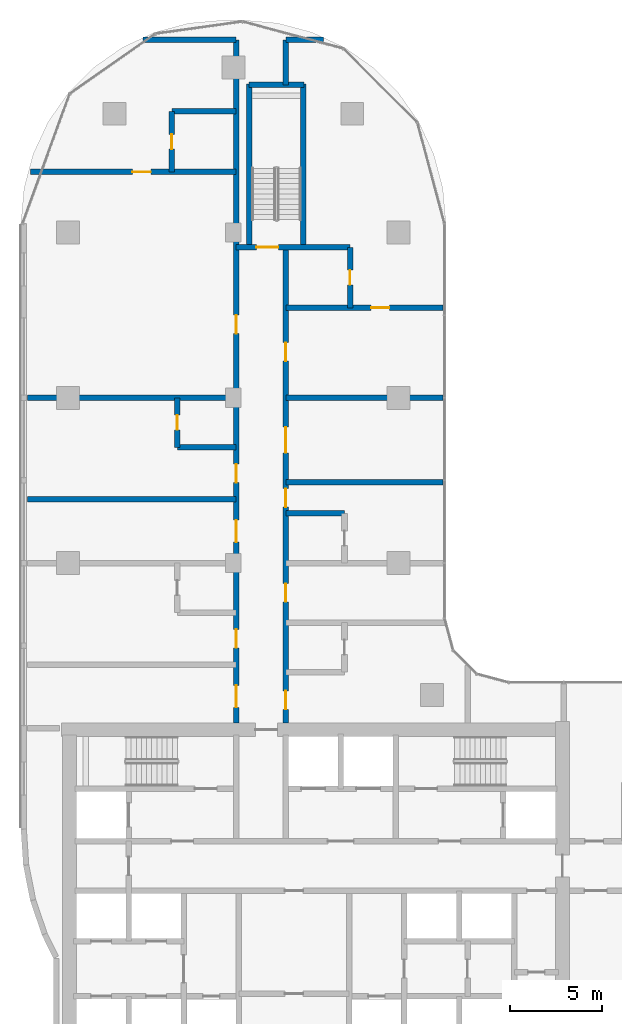
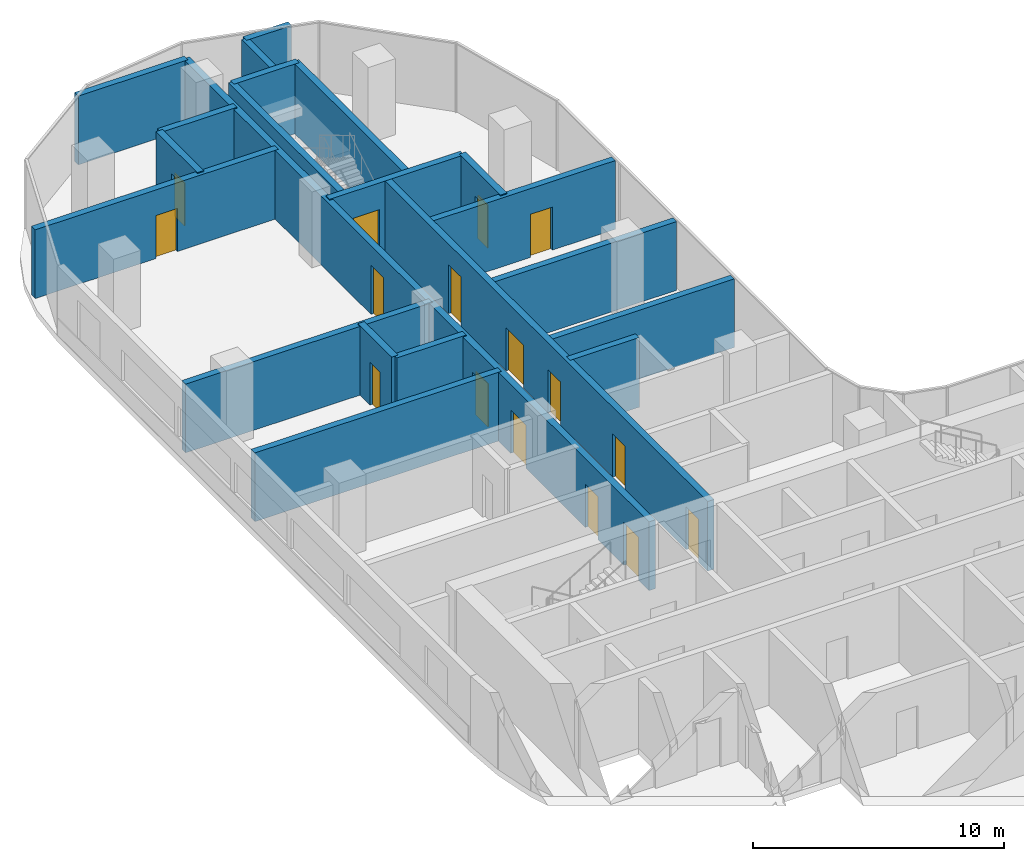
# One storey, part 14 of 23: 21 walls, 16 doors, 16 openings.
"""IFC4 building model written with IfcOpenShell, lengths in metres."""

from ifc_helpers import new_model, si_unit, direction, frame, frame_2d, origin, place, context, subcontext, project, spatial, rectangle, extrude, material, layer, layer_set, type_object, element, fill, save


model = new_model("IFC4")

# Units and contexts
model_context = context("Model", 3, precision=1e-05, world=origin(), true_north=direction((0.0, 1.0)))
body_context = subcontext(model_context, "Body", "Model", "MODEL_VIEW")
ifc_project = project(units=[si_unit("LENGTHUNIT", "METRE"), si_unit("AREAUNIT", "SQUARE_METRE"), si_unit("VOLUMEUNIT", "CUBIC_METRE"), si_unit("PLANEANGLEUNIT", "RADIAN"), si_unit("MASSUNIT", "GRAM", prefix="KILO")], contexts=[model_context])

# Site, building, storey
site_placement = place(None, origin())
site = spatial("IfcSite", under=ifc_project, at=site_placement, CompositionType="ELEMENT")
building_placement = place(site_placement, origin())
building = spatial("IfcBuilding", under=site, at=building_placement, Name="Ogive Portal Towers", CompositionType="ELEMENT")
storey_placement = place(building_placement, frame((0.0, 0.0, 120.39990234375)))
storey = spatial("IfcBuildingStorey", under=building, at=storey_placement, Name="L29", CompositionType="ELEMENT", Elevation=120.39990234375)

# Wall, opening, door
ifc_material_1 = material(Name="Concrete C50/60", Category="concrete")
ifc_layer_1 = layer(ifc_material_1, 0.300048828125)
ifc_layer_set_1 = layer_set([ifc_layer_1], Name="STAIR WALL 300 C50")
wall_type_1 = type_object("IfcWallType", Name="STAIR WALL 300 C50", PredefinedType="SHEAR", material=ifc_layer_set_1)
wall_1_placement = place(storey_placement, frame((40.64990234375, 65.699951171875, 0.0), z_axis=(0.0, 0.0, 1.0), x_axis=(1.0, 0.0, 0.0)))
wall_1 = element("IfcWall", 1, at=wall_1_placement, inside=storey, type_object=wall_type_1, Name="Stair wall ST-A3 L29", PredefinedType="SHEAR", context=body_context, shape_type="SweptSolid", body=[
    extrude(rectangle(XDim=6.2001953125, YDim=0.300048828125, at=frame_2d((3.10009765625, 0.0))), origin(), (0.0, 0.0, 1.0), 3.400146484375),
])
opening_1_placement = place(wall_1_placement, frame((1.10009765625, 0.0, 0.0)))
opening_1 = element("IfcOpeningElement", 2, at=opening_1_placement, cuts=wall_1, Name="Opening D10-066", PredefinedType="OPENING", context=body_context, shape_type="SweptSolid", body=[
    extrude(rectangle(XDim=1.199951171875, YDim=2.10009765625, at=frame_2d((0.60009765625, 1.050048828125))), frame((0.0, 0.16015625, 0.0), z_axis=(0.0, -1.0, 0.0), x_axis=(1.0, 0.0, 0.0)), (0.0, 0.0, 1.0), 0.320068359375),
])
ifc_material_2 = material(Name="Steel fire door", Category="steel")
door_type_1 = type_object("IfcDoorType", Name="DT-STAIR-1200x2100-FD90S", OperationType="SINGLE_SWING_LEFT", PredefinedType="DOOR", material=ifc_material_2)
door_1_placement = place(opening_1_placement, origin())
door_1 = element("IfcDoor", 3, at=door_1_placement, inside=storey, type_object=door_type_1, Name="Door D10-066", OperationType="SINGLE_SWING_RIGHT", OverallHeight=2.10009765625, OverallWidth=1.199951171875, PredefinedType="DOOR", context=body_context, shape_type="SweptSolid", body=[
    extrude(rectangle(XDim=1.199951171875, YDim=2.10009765625, at=frame_2d((0.60009765625, 1.050048828125))), frame((0.0, 0.02490234375, 0.0), z_axis=(0.0, -1.0, 0.0), x_axis=(1.0, 0.0, 0.0)), (0.0, 0.0, 1.0), 0.050048828125),
])
fill(opening_1, door_1)

# Walls
wall_2_placement = place(storey_placement, frame((41.35009765625, 74.550048828125, 0.0), z_axis=(0.0, 0.0, 1.0), x_axis=(1.0, 0.0, 0.0)))
element("IfcWall", 4, at=wall_2_placement, inside=storey, type_object=wall_type_1, Name="Stair wall ST-A3 L29", PredefinedType="SHEAR", context=body_context, shape_type="SweptSolid", body=[
    extrude(rectangle(XDim=3.0, YDim=0.300048828125, at=frame_2d((1.5, 0.0))), origin(), (0.0, 0.0, 1.0), 3.400146484375),
])
wall_3_placement = place(storey_placement, frame((41.35009765625, 65.75, 0.0), z_axis=(0.0, 0.0, 1.0), x_axis=(0.0, 1.0, 0.0)))
element("IfcWall", 5, at=wall_3_placement, inside=storey, type_object=wall_type_1, Name="Stair wall ST-A3 L29", PredefinedType="SHEAR", context=body_context, shape_type="SweptSolid", body=[
    extrude(rectangle(XDim=8.85009765625, YDim=0.300048828125, at=frame_2d((4.425048828125, 0.0))), origin(), (0.0, 0.0, 1.0), 3.400146484375),
])
wall_4_placement = place(storey_placement, frame((44.300048828125, 65.699951171875, 0.0), z_axis=(0.0, 0.0, 1.0), x_axis=(0.0, 1.0, 0.0)))
element("IfcWall", 6, at=wall_4_placement, inside=storey, type_object=wall_type_1, Name="Stair wall ST-A3 L29", PredefinedType="SHEAR", context=body_context, shape_type="SweptSolid", body=[
    extrude(rectangle(XDim=8.900146484375, YDim=0.300048828125, at=frame_2d((4.4501953125, 0.0))), origin(), (0.0, 0.0, 1.0), 3.400146484375),
])
ifc_material_3 = material(Name="Gypsum board partition on steel studs", Category="steel")
ifc_layer_2 = layer(ifc_material_3, 0.300048828125)
ifc_layer_set_2 = layer_set([ifc_layer_2], Name="WT-PART-300-EI 60")
wall_type_2 = type_object("IfcWallType", Name="WT-PART-300-EI 60", PredefinedType="PARTITIONING", material=ifc_layer_set_2)
wall_5_placement = place(storey_placement, frame((43.35009765625, 51.199951171875, 0.0), z_axis=(0.0, 0.0, 1.0), x_axis=(1.0, 0.0, 0.0)))
element("IfcWall", 7, at=wall_5_placement, inside=storey, type_object=wall_type_2, Name="Wall L29:w021", PredefinedType="PARTITIONING", context=body_context, shape_type="SweptSolid", body=[
    extrude(rectangle(XDim=3.199951171875, YDim=0.300048828125, at=frame_2d((1.60009765625, 0.0))), origin(), (0.0, 0.0, 1.0), 3.400146484375),
])
wall_6_placement = place(storey_placement, frame((29.27490234375, 51.969970703125, 0.0), z_axis=(0.0, 0.0, 1.0), x_axis=(1.0, 0.0, 0.0)))
element("IfcWall", 8, at=wall_6_placement, inside=storey, type_object=wall_type_2, Name="Wall L29:w022", PredefinedType="PARTITIONING", context=body_context, shape_type="SweptSolid", body=[
    extrude(rectangle(XDim=11.375, YDim=0.300048828125, at=frame_2d((5.6875, 0.0))), origin(), (0.0, 0.0, 1.0), 3.35009765625),
])
wall_7_placement = place(storey_placement, frame((43.35009765625, 52.89990234375, 0.0), z_axis=(0.0, 0.0, 1.0), x_axis=(1.0, 0.0, 0.0)))
element("IfcWall", 9, at=wall_7_placement, inside=storey, type_object=wall_type_2, Name="Wall L29:w023", PredefinedType="PARTITIONING", context=body_context, shape_type="SweptSolid", body=[
    extrude(rectangle(XDim=8.554931640625, YDim=0.300048828125, at=frame_2d((4.27734375, 0.0))), origin(), (0.0, 0.0, 1.0), 3.35009765625),
])
wall_8_placement = place(storey_placement, frame((37.449951171875, 54.800048828125, 0.0), z_axis=(0.0, 0.0, 1.0), x_axis=(1.0, 0.0, 0.0)))
element("IfcWall", 10, at=wall_8_placement, inside=storey, type_object=wall_type_2, Name="Wall L29:w024", PredefinedType="PARTITIONING", context=body_context, shape_type="SweptSolid", body=[
    extrude(rectangle(XDim=3.199951171875, YDim=0.300048828125, at=frame_2d((1.60009765625, 0.0))), origin(), (0.0, 0.0, 1.0), 3.400146484375),
])
wall_9_placement = place(storey_placement, frame((29.27490234375, 57.5, 0.0), z_axis=(0.0, 0.0, 1.0), x_axis=(1.0, 0.0, 0.0)))
element("IfcWall", 11, at=wall_9_placement, inside=storey, type_object=wall_type_2, Name="Wall L29:w025", PredefinedType="PARTITIONING", context=body_context, shape_type="SweptSolid", body=[
    extrude(rectangle(XDim=11.375, YDim=0.300048828125, at=frame_2d((5.6875, 0.0))), origin(), (0.0, 0.0, 1.0), 3.35009765625),
])
wall_10_placement = place(storey_placement, frame((43.35009765625, 57.5, 0.0), z_axis=(0.0, 0.0, 1.0), x_axis=(1.0, 0.0, 0.0)))
element("IfcWall", 12, at=wall_10_placement, inside=storey, type_object=wall_type_2, Name="Wall L29:w026", PredefinedType="PARTITIONING", context=body_context, shape_type="SweptSolid", body=[
    extrude(rectangle(XDim=8.554931640625, YDim=0.300048828125, at=frame_2d((4.27734375, 0.0))), origin(), (0.0, 0.0, 1.0), 3.35009765625),
])

# Wall, opening, door
wall_11_placement = place(storey_placement, frame((43.35009765625, 62.39990234375, 0.0), z_axis=(0.0, 0.0, 1.0), x_axis=(1.0, 0.0, 0.0)))
wall_11 = element("IfcWall", 13, at=wall_11_placement, inside=storey, type_object=wall_type_2, Name="Wall L29:w027", PredefinedType="PARTITIONING", context=body_context, shape_type="SweptSolid", body=[
    extrude(rectangle(XDim=8.554931640625, YDim=0.300048828125, at=frame_2d((4.27734375, 0.0))), origin(), (0.0, 0.0, 1.0), 3.35009765625),
])
opening_2_placement = place(wall_11_placement, frame((4.64990234375, 0.0, 0.0)))
opening_2 = element("IfcOpeningElement", 14, at=opening_2_placement, cuts=wall_11, Name="Opening D10-057", PredefinedType="OPENING", context=body_context, shape_type="SweptSolid", body=[
    extrude(rectangle(XDim=1.0, YDim=2.10009765625, at=frame_2d((0.5, 1.050048828125))), frame((0.0, 0.16015625, 0.0), z_axis=(0.0, -1.0, 0.0), x_axis=(1.0, 0.0, 0.0)), (0.0, 0.0, 1.0), 0.320068359375),
])
door_type_2 = type_object("IfcDoorType", Name="DT-ENTRY-1000x2100-FD60S", OperationType="SINGLE_SWING_LEFT", PredefinedType="DOOR", material=ifc_material_2)
door_2_placement = place(opening_2_placement, origin())
door_2 = element("IfcDoor", 15, at=door_2_placement, inside=storey, type_object=door_type_2, Name="Door D10-057", OperationType="SINGLE_SWING_LEFT", OverallHeight=2.10009765625, OverallWidth=1.0, PredefinedType="DOOR", context=body_context, shape_type="SweptSolid", body=[
    extrude(rectangle(XDim=1.0, YDim=2.10009765625, at=frame_2d((0.5, 1.050048828125))), frame((0.0, 0.02490234375, 0.0), z_axis=(0.0, -1.0, 0.0), x_axis=(1.0, 0.0, 0.0)), (0.0, 0.0, 1.0), 0.050048828125),
])
fill(opening_2, door_2)

wall_12_placement = place(storey_placement, frame((29.44189453125, 69.800048828125, 0.0), z_axis=(0.0, 0.0, 1.0), x_axis=(1.0, 0.0, 0.0)))
wall_12 = element("IfcWall", 16, at=wall_12_placement, inside=storey, type_object=wall_type_2, Name="Wall L29:w029", PredefinedType="PARTITIONING", context=body_context, shape_type="SweptSolid", body=[
    extrude(rectangle(XDim=11.2080078125, YDim=0.300048828125, at=frame_2d((5.60400390625, 0.0))), origin(), (0.0, 0.0, 1.0), 3.35009765625),
])
opening_3_placement = place(wall_12_placement, frame((5.55810546875, 0.0, 0.0)))
opening_3 = element("IfcOpeningElement", 17, at=opening_3_placement, cuts=wall_12, Name="Opening D10-060", PredefinedType="OPENING", context=body_context, shape_type="SweptSolid", body=[
    extrude(rectangle(XDim=1.0, YDim=2.10009765625, at=frame_2d((0.5, 1.050048828125))), frame((0.0, 0.16015625, 0.0), z_axis=(0.0, -1.0, 0.0), x_axis=(1.0, 0.0, 0.0)), (0.0, 0.0, 1.0), 0.320068359375),
])
door_3_placement = place(opening_3_placement, origin())
door_3 = element("IfcDoor", 18, at=door_3_placement, inside=storey, type_object=door_type_2, Name="Door D10-060", OperationType="SINGLE_SWING_LEFT", OverallHeight=2.10009765625, OverallWidth=1.0, PredefinedType="DOOR", context=body_context, shape_type="SweptSolid", body=[
    extrude(rectangle(XDim=1.0, YDim=2.10009765625, at=frame_2d((0.5, 1.050048828125))), frame((0.0, 0.02490234375, 0.0), z_axis=(0.0, -1.0, 0.0), x_axis=(1.0, 0.0, 0.0)), (0.0, 0.0, 1.0), 0.050048828125),
])
fill(opening_3, door_3)

# Walls
wall_13_placement = place(storey_placement, frame((37.14990234375, 73.10009765625, 0.0), z_axis=(0.0, 0.0, 1.0), x_axis=(1.0, 0.0, 0.0)))
element("IfcWall", 19, at=wall_13_placement, inside=storey, type_object=wall_type_2, Name="Wall L29:w030", PredefinedType="PARTITIONING", context=body_context, shape_type="SweptSolid", body=[
    extrude(rectangle(XDim=3.5, YDim=0.300048828125, at=frame_2d((1.75, 0.0))), origin(), (0.0, 0.0, 1.0), 3.400146484375),
])
wall_14_placement = place(storey_placement, frame((35.5859375, 77.0, 0.0), z_axis=(0.0, 0.0, 1.0), x_axis=(1.0, 0.0, 0.0)))
element("IfcWall", 20, at=wall_14_placement, inside=storey, type_object=wall_type_2, Name="Wall L29:w032", PredefinedType="PARTITIONING", context=body_context, shape_type="SweptSolid", body=[
    extrude(rectangle(XDim=5.06396484375, YDim=0.300048828125, at=frame_2d((2.531982421875, 0.0))), origin(), (0.0, 0.0, 1.0), 3.35009765625),
])
wall_15_placement = place(storey_placement, frame((43.35009765625, 77.0, 0.0), z_axis=(0.0, 0.0, 1.0), x_axis=(1.0, 0.0, 0.0)))
element("IfcWall", 21, at=wall_15_placement, inside=storey, type_object=wall_type_2, Name="Wall L29:w033", PredefinedType="PARTITIONING", context=body_context, shape_type="SweptSolid", body=[
    extrude(rectangle(XDim=2.06396484375, YDim=0.300048828125, at=frame_2d((1.031982421875, 0.0))), origin(), (0.0, 0.0, 1.0), 3.35009765625),
])

# Wall, opening, door
wall_16_placement = place(storey_placement, frame((37.14990234375, 69.800048828125, 0.0), z_axis=(0.0, 0.0, 1.0), x_axis=(0.0, 1.0, 0.0)))
wall_16 = element("IfcWall", 22, at=wall_16_placement, inside=storey, type_object=wall_type_2, Name="Wall L29:w034", PredefinedType="PARTITIONING", context=body_context, shape_type="SweptSolid", body=[
    extrude(rectangle(XDim=3.300048828125, YDim=0.300048828125, at=frame_2d((1.64990234375, 0.0))), origin(), (0.0, 0.0, 1.0), 3.400146484375),
])
opening_4_placement = place(wall_16_placement, frame((1.25, 0.0, 0.0)))
opening_4 = element("IfcOpeningElement", 23, at=opening_4_placement, cuts=wall_16, Name="Opening D10-061", PredefinedType="OPENING", context=body_context, shape_type="SweptSolid", body=[
    extrude(rectangle(XDim=0.800048828125, YDim=2.10009765625, at=frame_2d((0.39990234375, 1.050048828125))), frame((0.0, 0.16015625, 0.0), z_axis=(0.0, -1.0, 0.0), x_axis=(1.0, 0.0, 0.0)), (0.0, 0.0, 1.0), 0.320068359375),
])
door_type_3 = type_object("IfcDoorType", Name="DT-BATH-800x2100-FD60S", OperationType="SINGLE_SWING_LEFT", PredefinedType="DOOR", material=ifc_material_2)
door_4_placement = place(opening_4_placement, origin())
door_4 = element("IfcDoor", 24, at=door_4_placement, inside=storey, type_object=door_type_3, Name="Door D10-061", OperationType="SINGLE_SWING_RIGHT", OverallHeight=2.10009765625, OverallWidth=0.800048828125, PredefinedType="DOOR", context=body_context, shape_type="SweptSolid", body=[
    extrude(rectangle(XDim=0.800048828125, YDim=2.10009765625, at=frame_2d((0.39990234375, 1.050048828125))), frame((0.0, 0.02490234375, 0.0), z_axis=(0.0, -1.0, 0.0), x_axis=(1.0, 0.0, 0.0)), (0.0, 0.0, 1.0), 0.050048828125),
])
fill(opening_4, door_4)

wall_17_placement = place(storey_placement, frame((37.449951171875, 54.800048828125, 0.0), z_axis=(0.0, 0.0, 1.0), x_axis=(0.0, 1.0, 0.0)))
wall_17 = element("IfcWall", 25, at=wall_17_placement, inside=storey, type_object=wall_type_2, Name="Wall L29:w036", PredefinedType="PARTITIONING", context=body_context, shape_type="SweptSolid", body=[
    extrude(rectangle(XDim=2.699951171875, YDim=0.300048828125, at=frame_2d((1.35009765625, 0.0))), origin(), (0.0, 0.0, 1.0), 3.400146484375),
])
opening_5_placement = place(wall_17_placement, frame((0.949951171875, 0.0, 0.0)))
opening_5 = element("IfcOpeningElement", 26, at=opening_5_placement, cuts=wall_17, Name="Opening D10-054", PredefinedType="OPENING", context=body_context, shape_type="SweptSolid", body=[
    extrude(rectangle(XDim=0.800048828125, YDim=2.10009765625, at=frame_2d((0.39990234375, 1.050048828125))), frame((0.0, 0.16015625, 0.0), z_axis=(0.0, -1.0, 0.0), x_axis=(1.0, 0.0, 0.0)), (0.0, 0.0, 1.0), 0.320068359375),
])
door_5_placement = place(opening_5_placement, origin())
door_5 = element("IfcDoor", 27, at=door_5_placement, inside=storey, type_object=door_type_3, Name="Door D10-054", OperationType="SINGLE_SWING_RIGHT", OverallHeight=2.10009765625, OverallWidth=0.800048828125, PredefinedType="DOOR", context=body_context, shape_type="SweptSolid", body=[
    extrude(rectangle(XDim=0.800048828125, YDim=2.10009765625, at=frame_2d((0.39990234375, 1.050048828125))), frame((0.0, 0.02490234375, 0.0), z_axis=(0.0, -1.0, 0.0), x_axis=(1.0, 0.0, 0.0)), (0.0, 0.0, 1.0), 0.050048828125),
])
fill(opening_5, door_5)

# Wall, openings, doors
wall_18_placement = place(storey_placement, frame((40.64990234375, 39.800048828125, 0.0), z_axis=(0.0, 0.0, 1.0), x_axis=(0.0, 1.0, 0.0)))
wall_18 = element("IfcWall", 28, at=wall_18_placement, inside=storey, type_object=wall_type_2, Name="Wall L29:w037", PredefinedType="PARTITIONING", context=body_context, shape_type="SweptSolid", body=[
    extrude(rectangle(XDim=37.199951171875, YDim=0.300048828125, at=frame_2d((18.60009765625, 0.0))), origin(), (0.0, 0.0, 1.0), 3.35009765625),
])
opening_6_placement = place(wall_18_placement, frame((0.8349609375, 0.0, 0.0)))
opening_6 = element("IfcOpeningElement", 29, at=opening_6_placement, cuts=wall_18, Name="Opening D10-047", PredefinedType="OPENING", context=body_context, shape_type="SweptSolid", body=[
    extrude(rectangle(XDim=1.199951171875, YDim=2.10009765625, at=frame_2d((0.60009765625, 1.050048828125))), frame((0.0, 0.16015625, 0.0), z_axis=(0.0, -1.0, 0.0), x_axis=(1.0, 0.0, 0.0)), (0.0, 0.0, 1.0), 0.320068359375),
])
opening_7_placement = place(wall_18_placement, frame((4.0849609375, 0.0, 0.0)))
opening_7 = element("IfcOpeningElement", 30, at=opening_7_placement, cuts=wall_18, Name="Opening D10-049", PredefinedType="OPENING", context=body_context, shape_type="SweptSolid", body=[
    extrude(rectangle(XDim=1.0, YDim=2.10009765625, at=frame_2d((0.5, 1.050048828125))), frame((0.0, 0.16015625, 0.0), z_axis=(0.0, -1.0, 0.0), x_axis=(1.0, 0.0, 0.0)), (0.0, 0.0, 1.0), 0.320068359375),
])
opening_8_placement = place(wall_18_placement, frame((9.8349609375, 0.0, 0.0)))
opening_8 = element("IfcOpeningElement", 31, at=opening_8_placement, cuts=wall_18, Name="Opening D10-053", PredefinedType="OPENING", context=body_context, shape_type="SweptSolid", body=[
    extrude(rectangle(XDim=1.199951171875, YDim=2.10009765625, at=frame_2d((0.60009765625, 1.050048828125))), frame((0.0, 0.16015625, 0.0), z_axis=(0.0, -1.0, 0.0), x_axis=(1.0, 0.0, 0.0)), (0.0, 0.0, 1.0), 0.320068359375),
])
opening_9_placement = place(wall_18_placement, frame((13.0849609375, 0.0, 0.0)))
opening_9 = element("IfcOpeningElement", 32, at=opening_9_placement, cuts=wall_18, Name="Opening D10-055", PredefinedType="OPENING", context=body_context, shape_type="SweptSolid", body=[
    extrude(rectangle(XDim=1.0, YDim=2.10009765625, at=frame_2d((0.5, 1.050048828125))), frame((0.0, 0.16015625, 0.0), z_axis=(0.0, -1.0, 0.0), x_axis=(1.0, 0.0, 0.0)), (0.0, 0.0, 1.0), 0.320068359375),
])
opening_10_placement = place(wall_18_placement, frame((21.199951171875, 0.0, 0.0)))
opening_10 = element("IfcOpeningElement", 33, at=opening_10_placement, cuts=wall_18, Name="Opening D10-059", PredefinedType="OPENING", context=body_context, shape_type="SweptSolid", body=[
    extrude(rectangle(XDim=1.0, YDim=2.39990234375, at=frame_2d((0.5, 1.199951171875))), frame((0.0, 0.16015625, 0.0), z_axis=(0.0, -1.0, 0.0), x_axis=(1.0, 0.0, 0.0)), (0.0, 0.0, 1.0), 0.320068359375),
])
door_6_placement = place(opening_7_placement, origin())
door_6 = element("IfcDoor", 34, at=door_6_placement, inside=storey, type_object=door_type_2, Name="Door D10-049", OperationType="SINGLE_SWING_LEFT", OverallHeight=2.10009765625, OverallWidth=1.0, PredefinedType="DOOR", context=body_context, shape_type="SweptSolid", body=[
    extrude(rectangle(XDim=1.0, YDim=2.10009765625, at=frame_2d((0.5, 1.050048828125))), frame((0.0, 0.02490234375, 0.0), z_axis=(0.0, -1.0, 0.0), x_axis=(1.0, 0.0, 0.0)), (0.0, 0.0, 1.0), 0.050048828125),
])
fill(opening_7, door_6)
door_7_placement = place(opening_9_placement, origin())
door_7 = element("IfcDoor", 35, at=door_7_placement, inside=storey, type_object=door_type_2, Name="Door D10-055", OperationType="SINGLE_SWING_LEFT", OverallHeight=2.10009765625, OverallWidth=1.0, PredefinedType="DOOR", context=body_context, shape_type="SweptSolid", body=[
    extrude(rectangle(XDim=1.0, YDim=2.10009765625, at=frame_2d((0.5, 1.050048828125))), frame((0.0, 0.02490234375, 0.0), z_axis=(0.0, -1.0, 0.0), x_axis=(1.0, 0.0, 0.0)), (0.0, 0.0, 1.0), 0.050048828125),
])
fill(opening_9, door_7)
door_type_4 = type_object("IfcDoorType", Name="DT-ENTRY-1000x2400-FD60S", OperationType="SINGLE_SWING_LEFT", PredefinedType="DOOR", material=ifc_material_2)
door_8_placement = place(opening_10_placement, origin())
door_8 = element("IfcDoor", 36, at=door_8_placement, inside=storey, type_object=door_type_4, Name="Door D10-059", OperationType="SINGLE_SWING_LEFT", OverallHeight=2.39990234375, OverallWidth=1.0, PredefinedType="DOOR", context=body_context, shape_type="SweptSolid", body=[
    extrude(rectangle(XDim=1.0, YDim=2.39990234375, at=frame_2d((0.5, 1.199951171875))), frame((0.0, 0.02490234375, 0.0), z_axis=(0.0, -1.0, 0.0), x_axis=(1.0, 0.0, 0.0)), (0.0, 0.0, 1.0), 0.050048828125),
])
fill(opening_10, door_8)
door_type_5 = type_object("IfcDoorType", Name="DT-ENTRY-1200x2100-FD60S", OperationType="SINGLE_SWING_LEFT", PredefinedType="DOOR", material=ifc_material_2)
door_9_placement = place(opening_6_placement, origin())
door_9 = element("IfcDoor", 37, at=door_9_placement, inside=storey, type_object=door_type_5, Name="Door D10-047", OperationType="SINGLE_SWING_LEFT", OverallHeight=2.10009765625, OverallWidth=1.199951171875, PredefinedType="DOOR", context=body_context, shape_type="SweptSolid", body=[
    extrude(rectangle(XDim=1.199951171875, YDim=2.10009765625, at=frame_2d((0.60009765625, 1.050048828125))), frame((0.0, 0.02490234375, 0.0), z_axis=(0.0, -1.0, 0.0), x_axis=(1.0, 0.0, 0.0)), (0.0, 0.0, 1.0), 0.050048828125),
])
fill(opening_6, door_9)
door_10_placement = place(opening_8_placement, origin())
door_10 = element("IfcDoor", 38, at=door_10_placement, inside=storey, type_object=door_type_5, Name="Door D10-053", OperationType="SINGLE_SWING_LEFT", OverallHeight=2.10009765625, OverallWidth=1.199951171875, PredefinedType="DOOR", context=body_context, shape_type="SweptSolid", body=[
    extrude(rectangle(XDim=1.199951171875, YDim=2.10009765625, at=frame_2d((0.60009765625, 1.050048828125))), frame((0.0, 0.02490234375, 0.0), z_axis=(0.0, -1.0, 0.0), x_axis=(1.0, 0.0, 0.0)), (0.0, 0.0, 1.0), 0.050048828125),
])
fill(opening_8, door_10)

# Wall, opening, door
wall_19_placement = place(storey_placement, frame((46.85009765625, 62.39990234375, 0.0), z_axis=(0.0, 0.0, 1.0), x_axis=(0.0, 1.0, 0.0)))
wall_19 = element("IfcWall", 39, at=wall_19_placement, inside=storey, type_object=wall_type_2, Name="Wall L29:w044", PredefinedType="PARTITIONING", context=body_context, shape_type="SweptSolid", body=[
    extrude(rectangle(XDim=3.300048828125, YDim=0.300048828125, at=frame_2d((1.64990234375, 0.0))), origin(), (0.0, 0.0, 1.0), 3.400146484375),
])
opening_11_placement = place(wall_19_placement, frame((1.25, 0.0, 0.0)))
opening_11 = element("IfcOpeningElement", 40, at=opening_11_placement, cuts=wall_19, Name="Opening D10-058", PredefinedType="OPENING", context=body_context, shape_type="SweptSolid", body=[
    extrude(rectangle(XDim=0.800048828125, YDim=2.10009765625, at=frame_2d((0.39990234375, 1.050048828125))), frame((0.0, 0.16015625, 0.0), z_axis=(0.0, -1.0, 0.0), x_axis=(1.0, 0.0, 0.0)), (0.0, 0.0, 1.0), 0.320068359375),
])
door_11_placement = place(opening_11_placement, origin())
door_11 = element("IfcDoor", 41, at=door_11_placement, inside=storey, type_object=door_type_3, Name="Door D10-058", OperationType="SINGLE_SWING_RIGHT", OverallHeight=2.10009765625, OverallWidth=0.800048828125, PredefinedType="DOOR", context=body_context, shape_type="SweptSolid", body=[
    extrude(rectangle(XDim=0.800048828125, YDim=2.10009765625, at=frame_2d((0.39990234375, 1.050048828125))), frame((0.0, 0.02490234375, 0.0), z_axis=(0.0, -1.0, 0.0), x_axis=(1.0, 0.0, 0.0)), (0.0, 0.0, 1.0), 0.050048828125),
])
fill(opening_11, door_11)

# Wall, openings, doors
ifc_material_4 = material(Name="Concrete C40/50", Category="concrete")
ifc_layer_3 = layer(ifc_material_4, 0.300048828125)
ifc_layer_set_3 = layer_set([ifc_layer_3], Name="WT-SHAFT-300")
wall_type_3 = type_object("IfcWallType", Name="WT-SHAFT-300", PredefinedType="SOLIDWALL", material=ifc_layer_set_3)
wall_20_placement = place(storey_placement, frame((43.35009765625, 39.800048828125, 0.0), z_axis=(0.0, 0.0, 1.0), x_axis=(0.0, 1.0, 0.0)))
wall_20 = element("IfcWall", 42, at=wall_20_placement, inside=storey, type_object=wall_type_3, Name="Wall L29:w039", PredefinedType="SOLIDWALL", context=body_context, shape_type="SweptSolid", body=[
    extrude(rectangle(XDim=25.949951171875, YDim=0.300048828125, at=frame_2d((12.97509765625, 0.0))), origin(), (0.0, 0.0, 1.0), 3.400146484375),
])
opening_12_placement = place(wall_20_placement, frame((0.72998046875, 0.0, 0.0)))
opening_12 = element("IfcOpeningElement", 43, at=opening_12_placement, cuts=wall_20, Name="Opening D10-045", PredefinedType="OPENING", context=body_context, shape_type="SweptSolid", body=[
    extrude(rectangle(XDim=1.0, YDim=2.10009765625, at=frame_2d((0.5, 1.050048828125))), frame((0.0, 0.16015625, 0.0), z_axis=(0.0, -1.0, 0.0), x_axis=(1.0, 0.0, 0.0)), (0.0, 0.0, 1.0), 0.320068359375),
])
opening_13_placement = place(wall_20_placement, frame((6.580078125, 0.0, 0.0)))
opening_13 = element("IfcOpeningElement", 44, at=opening_13_placement, cuts=wall_20, Name="Opening D10-046", PredefinedType="OPENING", context=body_context, shape_type="SweptSolid", body=[
    extrude(rectangle(XDim=1.0, YDim=2.10009765625, at=frame_2d((0.5, 1.050048828125))), frame((0.0, 0.16015625, 0.0), z_axis=(0.0, -1.0, 0.0), x_axis=(1.0, 0.0, 0.0)), (0.0, 0.0, 1.0), 0.320068359375),
])
opening_14_placement = place(wall_20_placement, frame((11.75, 0.0, 0.0)))
opening_14 = element("IfcOpeningElement", 45, at=opening_14_placement, cuts=wall_20, Name="Opening D10-051", PredefinedType="OPENING", context=body_context, shape_type="SweptSolid", body=[
    extrude(rectangle(XDim=1.0, YDim=2.10009765625, at=frame_2d((0.5, 1.050048828125))), frame((0.0, 0.16015625, 0.0), z_axis=(0.0, -1.0, 0.0), x_axis=(1.0, 0.0, 0.0)), (0.0, 0.0, 1.0), 0.320068359375),
])
opening_15_placement = place(wall_20_placement, frame((14.699951171875, 0.0, 0.0)))
opening_15 = element("IfcOpeningElement", 46, at=opening_15_placement, cuts=wall_20, Name="Opening D10-052", PredefinedType="OPENING", context=body_context, shape_type="SweptSolid", body=[
    extrude(rectangle(XDim=1.39990234375, YDim=2.10009765625, at=frame_2d((0.699951171875, 1.050048828125))), frame((0.0, 0.16015625, 0.0), z_axis=(0.0, -1.0, 0.0), x_axis=(1.0, 0.0, 0.0)), (0.0, 0.0, 1.0), 0.320068359375),
])
opening_16_placement = place(wall_20_placement, frame((19.699951171875, 0.0, 0.0)))
opening_16 = element("IfcOpeningElement", 47, at=opening_16_placement, cuts=wall_20, Name="Opening D10-056", PredefinedType="OPENING", context=body_context, shape_type="SweptSolid", body=[
    extrude(rectangle(XDim=1.0, YDim=2.39990234375, at=frame_2d((0.5, 1.199951171875))), frame((0.0, 0.16015625, 0.0), z_axis=(0.0, -1.0, 0.0), x_axis=(1.0, 0.0, 0.0)), (0.0, 0.0, 1.0), 0.320068359375),
])
door_type_6 = type_object("IfcDoorType", Name="DT-ENTRY-1000x2100-FD90S", OperationType="SINGLE_SWING_LEFT", PredefinedType="DOOR", material=ifc_material_2)
door_12_placement = place(opening_12_placement, origin())
door_12 = element("IfcDoor", 48, at=door_12_placement, inside=storey, type_object=door_type_6, Name="Door D10-045", OperationType="SINGLE_SWING_LEFT", OverallHeight=2.10009765625, OverallWidth=1.0, PredefinedType="DOOR", context=body_context, shape_type="SweptSolid", body=[
    extrude(rectangle(XDim=1.0, YDim=2.10009765625, at=frame_2d((0.5, 1.050048828125))), frame((0.0, 0.02490234375, 0.0), z_axis=(0.0, -1.0, 0.0), x_axis=(1.0, 0.0, 0.0)), (0.0, 0.0, 1.0), 0.050048828125),
])
fill(opening_12, door_12)
door_13_placement = place(opening_13_placement, origin())
door_13 = element("IfcDoor", 49, at=door_13_placement, inside=storey, type_object=door_type_6, Name="Door D10-046", OperationType="SINGLE_SWING_RIGHT", OverallHeight=2.10009765625, OverallWidth=1.0, PredefinedType="DOOR", context=body_context, shape_type="SweptSolid", body=[
    extrude(rectangle(XDim=1.0, YDim=2.10009765625, at=frame_2d((0.5, 1.050048828125))), frame((0.0, 0.02490234375, 0.0), z_axis=(0.0, -1.0, 0.0), x_axis=(1.0, 0.0, 0.0)), (0.0, 0.0, 1.0), 0.050048828125),
])
fill(opening_13, door_13)
door_14_placement = place(opening_14_placement, origin())
door_14 = element("IfcDoor", 50, at=door_14_placement, inside=storey, type_object=door_type_6, Name="Door D10-051", OperationType="SINGLE_SWING_LEFT", OverallHeight=2.10009765625, OverallWidth=1.0, PredefinedType="DOOR", context=body_context, shape_type="SweptSolid", body=[
    extrude(rectangle(XDim=1.0, YDim=2.10009765625, at=frame_2d((0.5, 1.050048828125))), frame((0.0, 0.02490234375, 0.0), z_axis=(0.0, -1.0, 0.0), x_axis=(1.0, 0.0, 0.0)), (0.0, 0.0, 1.0), 0.050048828125),
])
fill(opening_14, door_14)
door_type_7 = type_object("IfcDoorType", Name="DT-ENTRY-1000x2400-FD90S", OperationType="SINGLE_SWING_LEFT", PredefinedType="DOOR", material=ifc_material_2)
door_15_placement = place(opening_16_placement, origin())
door_15 = element("IfcDoor", 51, at=door_15_placement, inside=storey, type_object=door_type_7, Name="Door D10-056", OperationType="SINGLE_SWING_LEFT", OverallHeight=2.39990234375, OverallWidth=1.0, PredefinedType="DOOR", context=body_context, shape_type="SweptSolid", body=[
    extrude(rectangle(XDim=1.0, YDim=2.39990234375, at=frame_2d((0.5, 1.199951171875))), frame((0.0, 0.02490234375, 0.0), z_axis=(0.0, -1.0, 0.0), x_axis=(1.0, 0.0, 0.0)), (0.0, 0.0, 1.0), 0.050048828125),
])
fill(opening_16, door_15)
door_type_8 = type_object("IfcDoorType", Name="DT-ENTRY-1400x2100-FD90S", OperationType="SINGLE_SWING_LEFT", PredefinedType="DOOR", material=ifc_material_2)
door_16_placement = place(opening_15_placement, origin())
door_16 = element("IfcDoor", 52, at=door_16_placement, inside=storey, type_object=door_type_8, Name="Door D10-052", OperationType="SINGLE_SWING_RIGHT", OverallHeight=2.10009765625, OverallWidth=1.39990234375, PredefinedType="DOOR", context=body_context, shape_type="SweptSolid", body=[
    extrude(rectangle(XDim=1.39990234375, YDim=2.10009765625, at=frame_2d((0.699951171875, 1.050048828125))), frame((0.0, 0.02490234375, 0.0), z_axis=(0.0, -1.0, 0.0), x_axis=(1.0, 0.0, 0.0)), (0.0, 0.0, 1.0), 0.050048828125),
])
fill(opening_15, door_16)

# Wall
wall_21_placement = place(storey_placement, frame((43.35009765625, 74.550048828125, 0.0), z_axis=(0.0, 0.0, 1.0), x_axis=(0.0, 1.0, 0.0)))
element("IfcWall", 53, at=wall_21_placement, inside=storey, type_object=wall_type_3, Name="Wall L29:w040", PredefinedType="SOLIDWALL", context=body_context, shape_type="SweptSolid", body=[
    extrude(rectangle(XDim=2.449951171875, YDim=0.300048828125, at=frame_2d((1.22509765625, 0.0))), origin(), (0.0, 0.0, 1.0), 3.35009765625),
])

save(model, "model.ifc")
